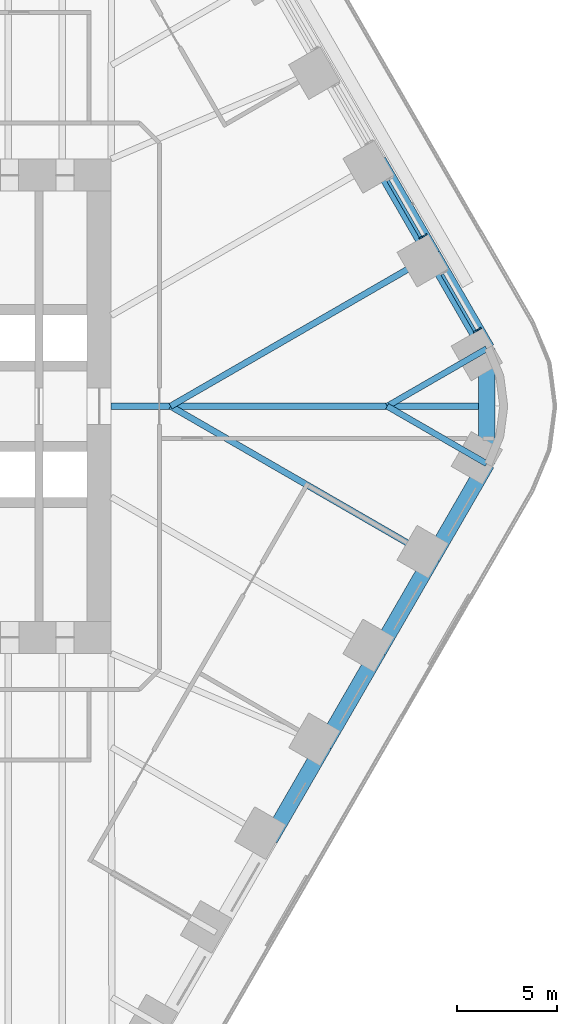
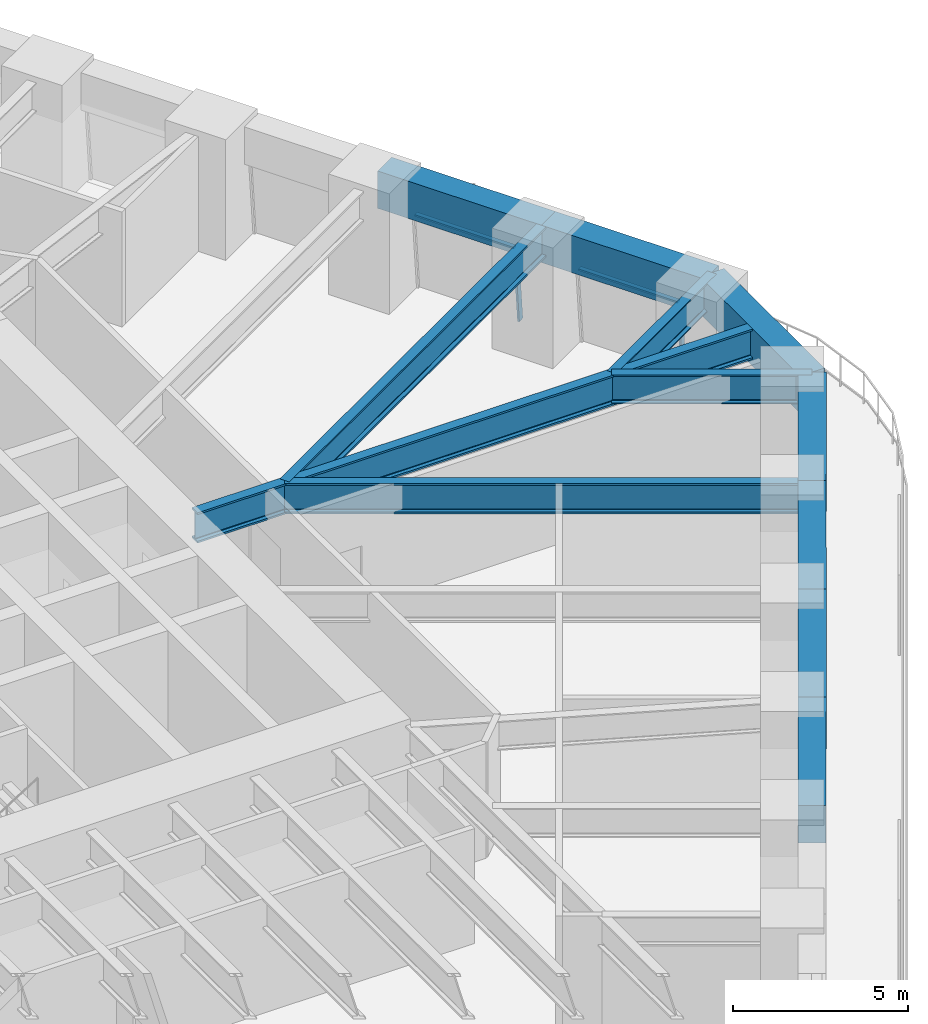
# One storey, part 12 of 23: 12 beams, 4 members, 2 elements without a shape of their own.
"""IFC4 building model written with IfcOpenShell, lengths in metres."""

from ifc_helpers import new_model, si_unit, direction, frame, origin, origin_2d, place, context, subcontext, project, spatial, rectangle, i_section, extrude, material, material_profile, profile_set, type_object, element, aggregate, save


model = new_model("IFC4")

# Units and contexts
model_context = context("Model", 3, precision=1e-05, world=origin(), true_north=direction((0.0, 1.0)))
body_context = subcontext(model_context, "Body", "Model", "MODEL_VIEW")
ifc_project = project(units=[si_unit("LENGTHUNIT", "METRE"), si_unit("AREAUNIT", "SQUARE_METRE"), si_unit("VOLUMEUNIT", "CUBIC_METRE"), si_unit("PLANEANGLEUNIT", "RADIAN"), si_unit("MASSUNIT", "GRAM", prefix="KILO")], contexts=[model_context])

# Site, building, storey
site_placement = place(None, origin())
site = spatial("IfcSite", under=ifc_project, at=site_placement, CompositionType="ELEMENT")
building_placement = place(site_placement, origin())
building = spatial("IfcBuilding", under=site, at=building_placement, Name="Tarfa Lantern Tower", CompositionType="ELEMENT")
storey_placement = place(building_placement, frame((0.0, 0.0, 52.89990234375)))
storey = spatial("IfcBuildingStorey", under=building, at=storey_placement, Name="L11", CompositionType="ELEMENT", Elevation=52.89990234375)

# Curtain wall, member
ifc_material_1 = material(Name="Aluminium framed curtain wall", Category="aluminium")
curtain_wall_type = type_object("IfcCurtainWallType", Name="CW1 CANTED GLAZING LOW ZONE 2700", PredefinedType="USERDEFINED", material=ifc_material_1)
curtain_wall_1_placement = place(storey_placement, origin())
curtain_wall_1 = element("IfcCurtainWall", 1, at=curtain_wall_1_placement, inside=storey, type_object=curtain_wall_type, Name="CW1 NE L11", ObjectType="CURTAIN WALL", PredefinedType="USERDEFINED")
ifc_material_2 = material(Name="Aluminium mullion", Category="aluminium")
ifc_material_profile_1 = material_profile(ifc_material_2, rectangle(XDim=0.06494140625, YDim=0.199951171875, at=origin_2d()), Name="AL MULLION 65x200")
ifc_profile_set_1 = profile_set([ifc_material_profile_1], Name="Aluminium mullion")
member_type_1 = type_object("IfcMemberType", Name="CWM1 MULLION 65x200", PredefinedType="MULLION", material=ifc_profile_set_1)
member_1_placement = place(storey_placement, frame((36.9248046875, 3.84423828125, 0.0), z_axis=(-0.079767804165, -0.046096067418, 0.995747081335), x_axis=(0.500342721131, -0.865827443207, 0.0)))
member_1 = element("IfcMember", 2, at=member_1_placement, type_object=member_type_1, Name="CW1 mullion 1", PredefinedType="MULLION", context=body_context, shape_type="SweptSolid", body=[
    extrude(rectangle(XDim=0.06494140625, YDim=0.199951171875, at=origin_2d()), origin(), (0.0, 0.0, 1.0), 2.711669921875),
])

curtain_wall_2_placement = place(storey_placement, origin())
curtain_wall_2 = element("IfcCurtainWall", 3, at=curtain_wall_2_placement, inside=storey, type_object=curtain_wall_type, Name="CW1 NE L11", ObjectType="CURTAIN WALL", PredefinedType="USERDEFINED")
member_2_placement = place(storey_placement, frame((34.230712890625, 8.5107421875, 0.0), z_axis=(-0.079857261722, -0.046095736191, 0.995739926314), x_axis=(0.499919672301, -0.866071776036, 0.0)))
member_2 = element("IfcMember", 4, at=member_2_placement, type_object=member_type_1, Name="CW1 mullion 1", PredefinedType="MULLION", context=body_context, shape_type="SweptSolid", body=[
    extrude(rectangle(XDim=0.06494140625, YDim=0.199951171875, at=origin_2d()), origin(), (0.0, 0.0, 1.0), 2.711669921875),
])

# Member
ifc_material_3 = material(Name="Aluminium transom", Category="aluminium")
ifc_material_profile_2 = material_profile(ifc_material_3, rectangle(XDim=0.14990234375, YDim=0.06494140625, at=origin_2d()), Name="AL TRANSOM 150x65")
ifc_profile_set_2 = profile_set([ifc_material_profile_2], Name="Aluminium transom")
member_type_2 = type_object("IfcMemberType", Name="CWT1 TRANSOM 150x65", PredefinedType="USERDEFINED", material=ifc_profile_set_2)
member_3_placement = place(storey_placement, frame((36.69482421875, 3.748779296875, 2.66748046875), z_axis=(-0.500022939057, 0.866012159509, 0.0), x_axis=(-0.866012159509, -0.500022939057, 0.0)))
member_3 = element("IfcMember", 5, at=member_3_placement, type_object=member_type_2, Name="CW1 transom 1.2", ObjectType="TRANSOM", PredefinedType="USERDEFINED", context=body_context, shape_type="SweptSolid", body=[
    extrude(rectangle(XDim=0.14990234375, YDim=0.06494140625, at=origin_2d()), origin(), (0.0, 0.0, 1.0), 3.258544921875),
])

aggregate(curtain_wall_1, [member_1, member_3])

member_4_placement = place(storey_placement, frame((34.00048828125, 8.41552734375, 2.66748046875), z_axis=(-0.500022939057, 0.866012159509, 0.0), x_axis=(-0.866012159509, -0.500022939057, 0.0)))
member_4 = element("IfcMember", 6, at=member_4_placement, type_object=member_type_2, Name="CW1 transom 1.2", ObjectType="TRANSOM", PredefinedType="USERDEFINED", context=body_context, shape_type="SweptSolid", body=[
    extrude(rectangle(XDim=0.14990234375, YDim=0.06494140625, at=origin_2d()), origin(), (0.0, 0.0, 1.0), 3.258544921875),
])

aggregate(curtain_wall_2, [member_2, member_4])

# Beams
ifc_material_4 = material(Name="Concrete C80/95", Category="concrete")
ifc_material_profile_3 = material_profile(ifc_material_4, rectangle(XDim=0.800048828125, YDim=1.300048828125, at=origin_2d()), Name="RC 800x1300")
ifc_profile_set_3 = profile_set([ifc_material_profile_3], Name="Concrete C80/95")
beam_type_1 = type_object("IfcBeamType", Name="EB1 RC 800x1300", PredefinedType="SPANDREL", material=ifc_profile_set_3)
beam_1_placement = place(storey_placement, frame((37.285400390625, 2.860107421875, 3.35009765625), z_axis=(-0.500017906299, 0.866015065331, 0.0), x_axis=(-0.866015065331, -0.500017906299, 0.0)))
element("IfcBeam", 7, at=beam_1_placement, inside=storey, type_object=beam_type_1, Name="Edge beam NE0", PredefinedType="SPANDREL", context=body_context, shape_type="SweptSolid", body=[
    extrude(rectangle(XDim=0.800048828125, YDim=1.300048828125, at=origin_2d()), origin(), (0.0, 0.0, 1.0), 5.388427734375),
])
beam_2_placement = place(storey_placement, frame((34.591064453125, 7.526611328125, 3.35009765625), z_axis=(-0.499998287579, 0.866026392449, 0.0), x_axis=(-0.866026392449, -0.499998287579, 0.0)))
element("IfcBeam", 8, at=beam_2_placement, inside=storey, type_object=beam_type_1, Name="Edge beam NE1", PredefinedType="SPANDREL", context=body_context, shape_type="SweptSolid", body=[
    extrude(rectangle(XDim=0.800048828125, YDim=1.300048828125, at=origin_2d()), origin(), (0.0, 0.0, 1.0), 5.388671875),
])
beam_3_placement = place(storey_placement, frame((26.508056640625, -21.526611328125, 3.35009765625), z_axis=(0.500017906299, 0.866015065331, 0.0), x_axis=(-0.866015065331, 0.500017906299, 0.0)))
element("IfcBeam", 9, at=beam_3_placement, inside=storey, type_object=beam_type_1, Name="Edge beam SE2", PredefinedType="SPANDREL", context=body_context, shape_type="SweptSolid", body=[
    extrude(rectangle(XDim=0.800048828125, YDim=1.300048828125, at=origin_2d()), origin(), (0.0, 0.0, 1.0), 5.388427734375),
])
for number, where, z_axis, x_axis, name in (
    (10, (29.202392578125, -16.860107421875, 3.35009765625), (0.499998287579, 0.866026392449, 0.0), (-0.866026392449, 0.499998287579, 0.0), "Edge beam SE3"),
    (11, (31.896728515625, -12.193359375, 3.35009765625), (0.499998287579, 0.866026392449, 0.0), (-0.866026392449, 0.499998287579, 0.0), "Edge beam SE4"),
):
    element("IfcBeam", number, at=place(storey_placement, frame(where, z_axis=z_axis, x_axis=x_axis)), inside=storey, type_object=beam_type_1, Name=name, PredefinedType="SPANDREL", context=body_context, shape_type="SweptSolid", body=[
        extrude(rectangle(XDim=0.800048828125, YDim=1.300048828125, at=origin_2d()), origin(), (0.0, 0.0, 1.0), 5.388671875),
    ])
beam_4_placement = place(storey_placement, frame((34.591064453125, -7.526611328125, 3.35009765625), z_axis=(0.500017906299, 0.866015065331, 0.0), x_axis=(-0.866015065331, 0.500017906299, 0.0)))
element("IfcBeam", 12, at=beam_4_placement, inside=storey, type_object=beam_type_1, Name="Edge beam SE5", PredefinedType="SPANDREL", context=body_context, shape_type="SweptSolid", body=[
    extrude(rectangle(XDim=0.800048828125, YDim=1.300048828125, at=origin_2d()), origin(), (0.0, 0.0, 1.0), 5.388427734375),
])
beam_5_placement = place(storey_placement, frame((37.285400390625, -2.860107421875, 3.35009765625), z_axis=(0.0, 1.0, 0.0), x_axis=(-1.0, 0.0, 0.0)))
element("IfcBeam", 13, at=beam_5_placement, inside=storey, type_object=beam_type_1, Name="Edge beam SE6", PredefinedType="SPANDREL", context=body_context, shape_type="SweptSolid", body=[
    extrude(rectangle(XDim=0.800048828125, YDim=1.300048828125, at=origin_2d()), origin(), (0.0, 0.0, 1.0), 5.72021484375),
])
ifc_material_5 = material(Name="Steel S460M", Category="steel")
ifc_material_profile_4 = material_profile(ifc_material_5, i_section(OverallWidth=0.302001953125, OverallDepth=1.008056640625, WebThickness=0.02099609375, FlangeThickness=0.0400390625, FilletRadius=0.030029296875, at=origin_2d()), Name="UB1016x305x349")
ifc_profile_set_4 = profile_set([ifc_material_profile_4], Name="Steel S460M")
beam_type_2 = type_object("IfcBeamType", Name="UB1016x305x349", PredefinedType="BEAM", material=ifc_profile_set_4)
for number, where, z_axis, x_axis, name in (
    (14, (37.285400390625, 2.860107421875, 3.49609375), (-0.866025668288, -0.499999541866, 0.0), (0.499999541866, -0.866025668288, 0.0), "Floor beam NE0"),
    (15, (37.285400390625, -2.860107421875, 3.49609375), (-0.866025668288, 0.499999541866, 0.0), (-0.499999541866, -0.866025668288, 0.0), "Floor beam SE6"),
):
    element("IfcBeam", number, at=place(storey_placement, frame(where, z_axis=z_axis, x_axis=x_axis)), inside=storey, type_object=beam_type_2, Name=name, PredefinedType="BEAM", context=body_context, shape_type="SweptSolid", body=[
        extrude(i_section(OverallWidth=0.302001953125, OverallDepth=1.008056640625, WebThickness=0.02099609375, FlangeThickness=0.0400390625, FilletRadius=0.030029296875, at=origin_2d()), origin(), (0.0, 0.0, 1.0), 5.72021484375),
    ])
ifc_material_profile_5 = material_profile(ifc_material_5, i_section(OverallWidth=0.314208984375, OverallDepth=1.055908203125, WebThickness=0.035888671875, FlangeThickness=0.06396484375, FilletRadius=0.030029296875, at=origin_2d()), Name="UB1016x305x584")
ifc_profile_set_5 = profile_set([ifc_material_profile_5], Name="Steel S460M")
beam_type_3 = type_object("IfcBeamType", Name="UB1016x305x584", PredefinedType="BEAM", material=ifc_profile_set_5)
beam_6_placement = place(storey_placement, frame((18.60009765625, 0.0, 3.47216796875), z_axis=(1.0, 0.0, 0.0), x_axis=(0.0, 1.0, 0.0)))
element("IfcBeam", 16, at=beam_6_placement, inside=storey, type_object=beam_type_3, Name="Hip girder E", PredefinedType="BEAM", context=body_context, shape_type="SweptSolid", body=[
    extrude(i_section(OverallWidth=0.314208984375, OverallDepth=1.055908203125, WebThickness=0.035888671875, FlangeThickness=0.06396484375, FilletRadius=0.030029296875, at=origin_2d()), origin(), (0.0, 0.0, 1.0), 18.685302734375),
])
for number, where, z_axis, x_axis, name in (
    (17, (34.591064453125, 7.526611328125, 3.47216796875), (-0.86602785945, -0.499995746638, 0.0), (0.499995746638, -0.86602785945, 0.0), "Floor beam NE1"),
    (18, (34.591064453125, -7.526611328125, 3.47216796875), (-0.86602785945, 0.499995746638, 0.0), (-0.499995746638, -0.86602785945, 0.0), "Floor beam SE5"),
):
    element("IfcBeam", number, at=place(storey_placement, frame(where, z_axis=z_axis, x_axis=x_axis)), inside=storey, type_object=beam_type_3, Name=name, PredefinedType="BEAM", context=body_context, shape_type="SweptSolid", body=[
        extrude(i_section(OverallWidth=0.314208984375, OverallDepth=1.055908203125, WebThickness=0.035888671875, FlangeThickness=0.06396484375, FilletRadius=0.030029296875, at=origin_2d()), origin(), (0.0, 0.0, 1.0), 15.053466796875),
    ])

save(model, "model.ifc")
